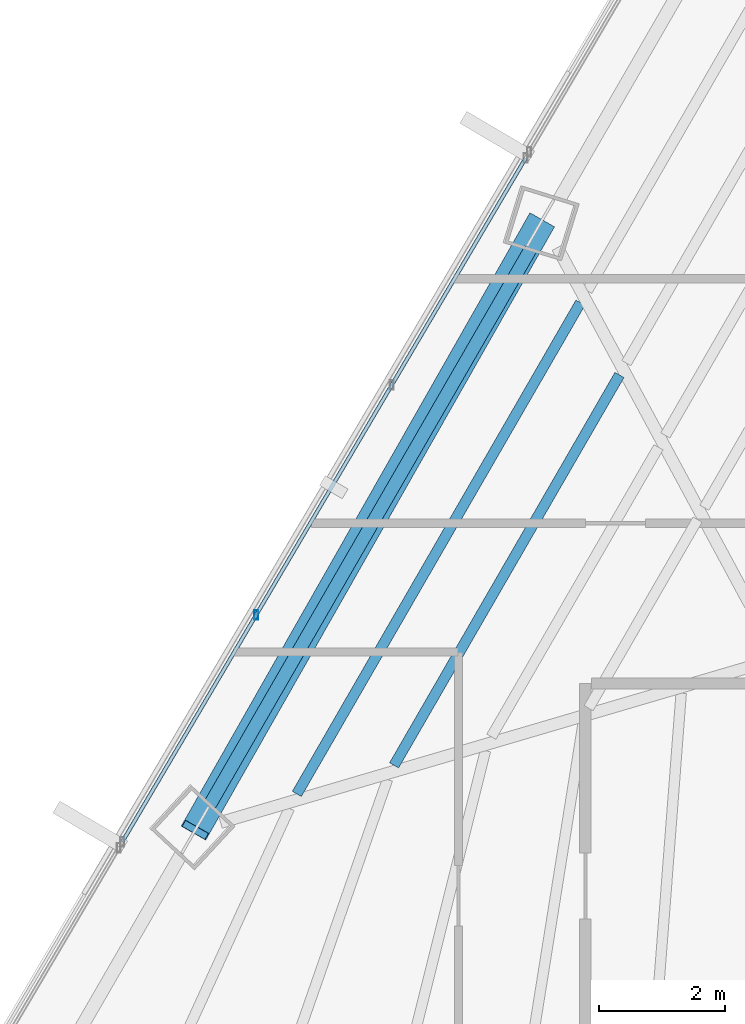
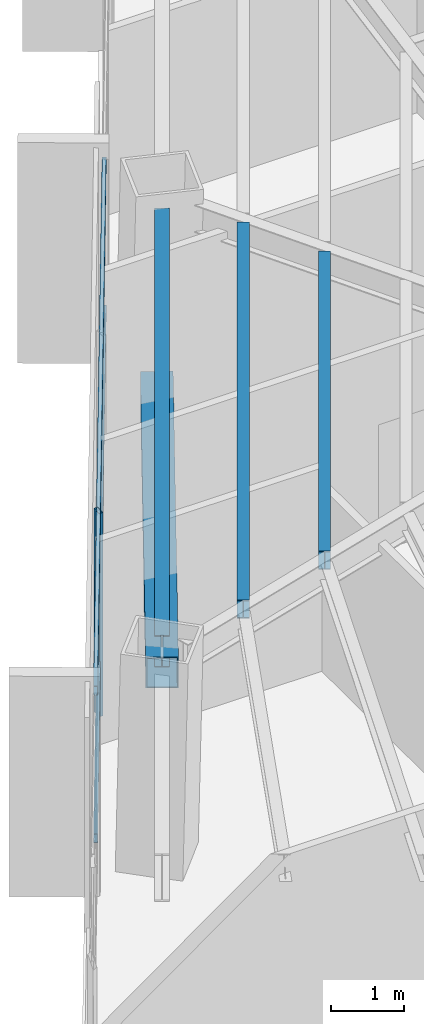
# One storey, part 13 of 40: 4 members, 3 beams, 1 element without a shape of its own.
"""IFC4 building model written with IfcOpenShell, lengths in metres."""

from ifc_helpers import new_model, si_unit, direction, frame, origin, origin_2d, place, context, subcontext, project, spatial, hollow_rectangle, i_section, extrude, source, transform, mapped, material, material_profile, profile_set, type_object, type_shapes, element, aggregate, save


model = new_model("IFC4")

# Units and contexts
model_context = context("Model", 3, precision=1e-05, world=origin(), true_north=direction((0.0, 1.0)))
body_context = subcontext(model_context, "Body", "Model", "MODEL_VIEW")
ifc_project = project(units=[si_unit("LENGTHUNIT", "METRE"), si_unit("AREAUNIT", "SQUARE_METRE"), si_unit("VOLUMEUNIT", "CUBIC_METRE"), si_unit("PLANEANGLEUNIT", "RADIAN"), si_unit("MASSUNIT", "GRAM", prefix="KILO")], contexts=[model_context])

# Site, building, storey
site_placement = place(None, origin())
site = spatial("IfcSite", under=ifc_project, at=site_placement, CompositionType="ELEMENT")
building_placement = place(site_placement, origin())
building = spatial("IfcBuilding", under=site, at=building_placement, Name="Caelisora Broadcast Tower", CompositionType="ELEMENT")
storey_placement = place(building_placement, frame((0.0, 0.0, 176.75)))
storey = spatial("IfcBuildingStorey", under=building, at=storey_placement, Name="L46", CompositionType="ELEMENT", Elevation=176.75)

# Beams
ifc_material_1 = material(Name="Steel Grade 350 (AS/NZS 3679.1)", Category="steel")
ifc_material_profile_1 = material_profile(ifc_material_1, i_section(OverallWidth=0.208984375, OverallDepth=0.532958984375, WebThickness=0.01025390625, FlangeThickness=0.015625, at=origin_2d()), Name="Steel Grade 350 (AS/NZS 3679.1)")
ifc_profile_set_1 = profile_set([ifc_material_profile_1], Name="Steel Grade 350 (AS/NZS 3679.1)")
beam_type_1 = type_object("IfcBeamType", Name="PG05", PredefinedType="BEAM", material=ifc_profile_set_1)
shared_shape_1 = source(origin(), body_context, "Body", "SweptSolid", [
    extrude(i_section(OverallWidth=0.208984375, OverallDepth=0.532958984375, WebThickness=0.01025390625, FlangeThickness=0.015625, at=origin_2d()), origin(), (0.0, 0.0, 1.0), 10.206787109375),
])
type_shapes(beam_type_1, [shared_shape_1])
beam_1_placement = place(storey_placement, frame((26.545166015625, 36.50634765625, 3.133544921875), z_axis=(-0.500008183122, -0.866020679205, 0.0), x_axis=(0.866020679205, -0.500008183122, 0.0)))
element("IfcBeam", 1, at=beam_1_placement, inside=storey, type_object=beam_type_1, Name="L46 beam PG05", PredefinedType="BEAM", context=body_context, shape_type="MappedRepresentation", body=[
    mapped(shared_shape_1, transform((0.0, 0.0, 0.0), scale=1.0)),
])
ifc_material_profile_2 = material_profile(ifc_material_1, i_section(OverallWidth=0.166015625, OverallDepth=0.30712890625, WebThickness=0.006591796875, FlangeThickness=0.01171875, at=origin_2d()), Name="Steel Grade 350 (AS/NZS 3679.1)")
ifc_profile_set_2 = profile_set([ifc_material_profile_2], Name="Steel Grade 350 (AS/NZS 3679.1)")
beam_type_2 = type_object("IfcBeamType", Name="SB03", PredefinedType="JOIST", material=ifc_profile_set_2)
shared_shape_2 = source(origin(), body_context, "Body", "SweptSolid", [
    extrude(i_section(OverallWidth=0.166015625, OverallDepth=0.30712890625, WebThickness=0.006591796875, FlangeThickness=0.01171875, at=origin_2d()), origin(), (0.0, 0.0, 1.0), 7.17333984375),
])
beam_2_placement = place(storey_placement, frame((27.962158203125, 34.508544921875, 3.246337890625), z_axis=(-0.500008229653, -0.86602065234, 0.0), x_axis=(0.86602065234, -0.500008229653, 0.0)))
element("IfcBeam", 2, at=beam_2_placement, inside=storey, type_object=beam_type_2, Name="L46 beam SB03", PredefinedType="JOIST", context=body_context, shape_type="MappedRepresentation", body=[
    mapped(shared_shape_2, transform((0.0, 0.0, 0.0), scale=1.0)),
])
shared_shape_3 = source(origin(), body_context, "Body", "SweptSolid", [
    extrude(i_section(OverallWidth=0.166015625, OverallDepth=0.30712890625, WebThickness=0.006591796875, FlangeThickness=0.01171875, at=origin_2d()), origin(), (0.0, 0.0, 1.0), 9.02783203125),
])
type_shapes(beam_type_2, [shared_shape_2, shared_shape_3])
beam_3_placement = place(storey_placement, frame((27.34130859375, 35.659423828125, 3.246337890625), z_axis=(-0.499998681235, -0.866026165172, 0.0), x_axis=(0.866026165172, -0.499998681235, 0.0)))
element("IfcBeam", 3, at=beam_3_placement, inside=storey, type_object=beam_type_2, Name="L46 beam SB03", PredefinedType="JOIST", context=body_context, shape_type="MappedRepresentation", body=[
    mapped(shared_shape_3, transform((0.0, 0.0, 0.0), scale=1.0)),
])

# Member
ifc_material_2 = material(Name="Steel Grade 450 (AS/NZS 1163 C450L0)", Category="steel")
ifc_material_profile_3 = material_profile(ifc_material_2, hollow_rectangle(XDim=0.449951171875, YDim=0.449951171875, WallThickness=0.01611328125, at=origin_2d()), Name="Steel Grade 450 (AS/NZS 1163 C450L0)")
ifc_profile_set_3 = profile_set([ifc_material_profile_3], Name="Steel Grade 450 (AS/NZS 1163 C450L0)")
member_type_1 = type_object("IfcMemberType", Name="BR03", PredefinedType="BRACE", material=ifc_profile_set_3)
shared_shape_4 = source(origin(), body_context, "Body", "SweptSolid", [
    extrude(hollow_rectangle(XDim=0.449951171875, YDim=0.449951171875, WallThickness=0.01611328125, at=origin_2d()), origin(), (0.0, 0.0, 1.0), 11.5087890625),
])
type_shapes(member_type_1, [shared_shape_4])
member_1_placement = place(storey_placement, frame((26.704345703125, 36.9267578125, 0.10009765625), z_axis=(-0.477262562398, -0.839208239331, 0.260672164937), x_axis=(0.869260866585, -0.494353664722, 0.0)))
element("IfcMember", 4, at=member_1_placement, inside=storey, type_object=member_type_1, Name="L46 perimeter brace BR03", PredefinedType="BRACE", context=body_context, shape_type="MappedRepresentation", body=[
    mapped(shared_shape_4, transform((0.0, 0.0, 0.0), scale=1.0)),
])

# Curtain wall, members
ifc_material_3 = material(Name="Unitised Aluminium Insulated Shadow-Box Spandrel Curtain Wall", Category="aluminium")
curtain_wall_type = type_object("IfcCurtainWallType", Name="CW-SP2", PredefinedType="NOTDEFINED", material=ifc_material_3)
curtain_wall_placement = place(storey_placement, origin())
curtain_wall = element("IfcCurtainWall", 5, at=curtain_wall_placement, inside=storey, type_object=curtain_wall_type, Name="L46 curtain wall CW-SP2", PredefinedType="NOTDEFINED")
ifc_material_4 = material(Name="Aluminium 6063-T6 Anodised Terracotta Bronze", Category="aluminium")
ifc_material_profile_4 = material_profile(ifc_material_4, hollow_rectangle(XDim=0.06005859375, YDim=0.14990234375, WallThickness=0.00341796875, at=origin_2d()), Name="Aluminium 6063-T6 Anodised Terracotta Bronze")
ifc_profile_set_4 = profile_set([ifc_material_profile_4], Name="Aluminium 6063-T6 Anodised Terracotta Bronze")
member_type_2 = type_object("IfcMemberType", Name="CWM-03", PredefinedType="MULLION", material=ifc_profile_set_4)
shared_shape_5 = source(origin(), body_context, "Body", "SweptSolid", [
    extrude(hollow_rectangle(XDim=0.06005859375, YDim=0.14990234375, WallThickness=0.00341796875, at=origin_2d()), origin(), (0.0, 0.0, 1.0), 3.39990234375),
])
type_shapes(member_type_2, [shared_shape_5])
member_2_placement = place(storey_placement, frame((22.181396484375, 30.69091796875, 0.0), z_axis=(0.0, 0.0, 1.0), x_axis=(1.0, 0.0, 0.0)))
member_2 = element("IfcMember", 6, at=member_2_placement, type_object=member_type_2, Name="L46-CW-B10 mullion #1", PredefinedType="MULLION", context=body_context, shape_type="MappedRepresentation", body=[
    mapped(shared_shape_5, transform((0.0, 0.0, 0.0), scale=1.0)),
])
ifc_material_profile_5 = material_profile(ifc_material_4, hollow_rectangle(XDim=0.06005859375, YDim=0.14990234375, WallThickness=0.00341796875, at=origin_2d()), Name="Aluminium 6063-T6 Anodised Terracotta Bronze")
ifc_profile_set_5 = profile_set([ifc_material_profile_5], Name="Aluminium 6063-T6 Anodised Terracotta Bronze")
member_type_3 = type_object("IfcMemberType", Name="CWT-02", PredefinedType="USERDEFINED", material=ifc_profile_set_5)
shared_shape_6 = source(origin(), body_context, "Body", "SweptSolid", [
    extrude(hollow_rectangle(XDim=0.06005859375, YDim=0.14990234375, WallThickness=0.00341796875, at=origin_2d()), origin(), (0.0, 0.0, 1.0), 12.633544921875),
])
type_shapes(member_type_3, [shared_shape_6])
member_3_placement = place(storey_placement, frame((20.05029296875, 27.078125, 0.85009765625), z_axis=(0.508072884657, 0.861314079692, 0.0), x_axis=(-0.861314079692, 0.508072884657, 0.0)))
member_3 = element("IfcMember", 7, at=member_3_placement, type_object=member_type_3, Name="L46-CW-B10 transom #1", ObjectType="TRANSOM", PredefinedType="USERDEFINED", context=body_context, shape_type="MappedRepresentation", body=[
    mapped(shared_shape_6, transform((0.0, 0.0, 0.0), scale=1.0)),
])
member_4_placement = place(storey_placement, frame((20.05029296875, 27.078125, 3.320068359375), z_axis=(0.508072884657, 0.861314079692, 0.0), x_axis=(-0.861314079692, 0.508072884657, 0.0)))
member_4 = element("IfcMember", 8, at=member_4_placement, type_object=member_type_3, Name="L46-CW-B10 transom #2", ObjectType="TRANSOM", PredefinedType="USERDEFINED", context=body_context, shape_type="MappedRepresentation", body=[
    mapped(shared_shape_6, transform((0.0, 0.0, 0.0), scale=1.0)),
])
aggregate(curtain_wall, [member_2, member_3, member_4])

save(model, "model.ifc")
